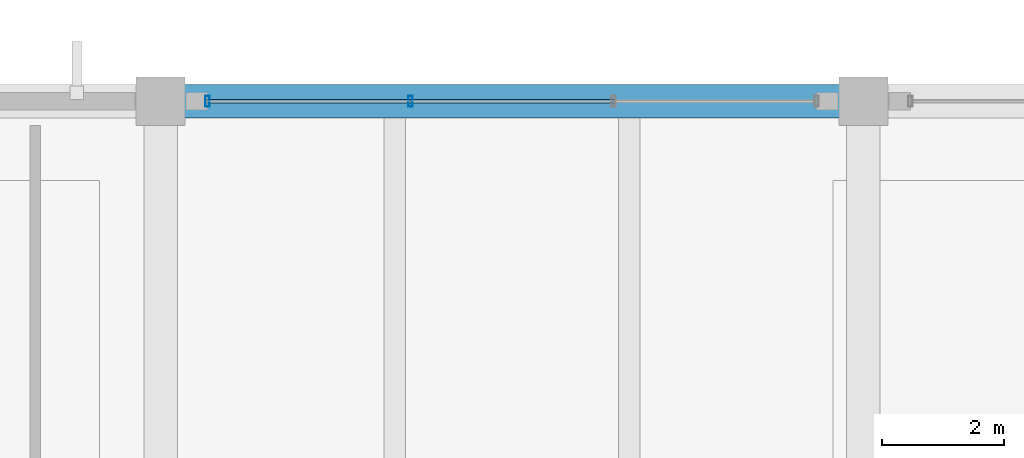
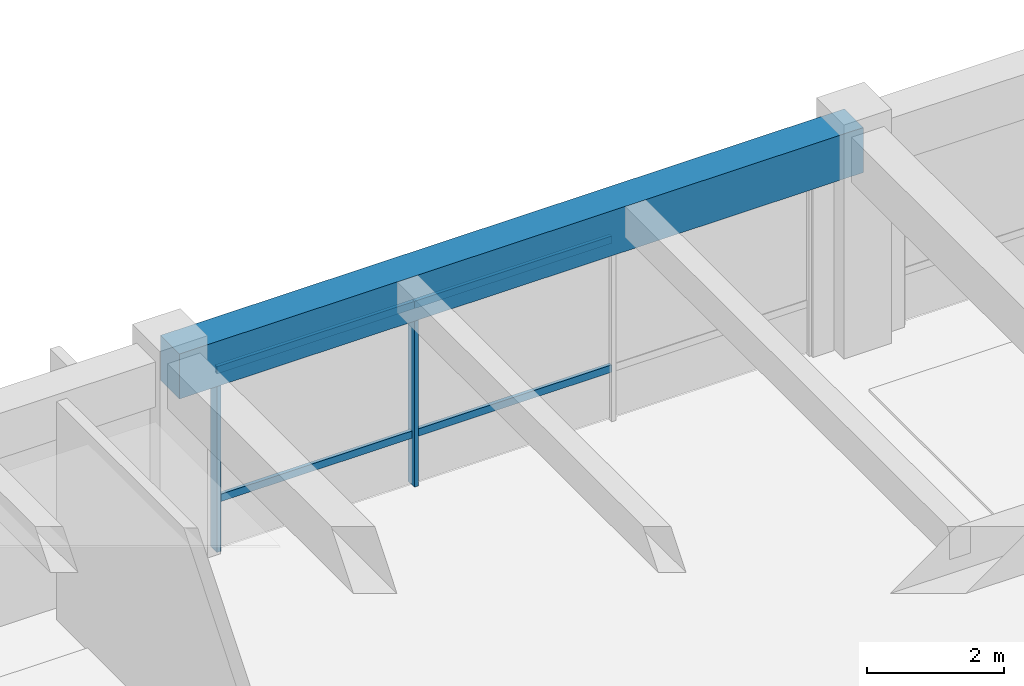
# One storey, part 17 of 33: 6 members, 1 beam, 1 element without a shape of its own.
"""IFC4 building model written with IfcOpenShell, lengths in metres."""

from ifc_helpers import new_model, si_unit, direction, frame, origin, origin_2d, place, context, subcontext, project, spatial, rectangle, hollow_rectangle, extrude, material, material_profile, profile_set, type_object, element, aggregate, save


model = new_model("IFC4")

# Units and contexts
model_context = context("Model", 3, precision=1e-05, world=origin(), true_north=direction((0.0, 1.0)))
body_context = subcontext(model_context, "Body", "Model", "MODEL_VIEW")
ifc_project = project(units=[si_unit("LENGTHUNIT", "METRE"), si_unit("AREAUNIT", "SQUARE_METRE"), si_unit("VOLUMEUNIT", "CUBIC_METRE"), si_unit("PLANEANGLEUNIT", "RADIAN"), si_unit("MASSUNIT", "GRAM", prefix="KILO")], contexts=[model_context])

# Site, building, storey
site_placement = place(None, origin())
site = spatial("IfcSite", under=ifc_project, at=site_placement, CompositionType="ELEMENT")
building_placement = place(site_placement, origin())
building = spatial("IfcBuilding", under=site, at=building_placement, Name="Ologun Quay Terminus", CompositionType="ELEMENT")
storey_placement = place(building_placement, frame((0.0, 0.0, 18.300048828125)))
storey = spatial("IfcBuildingStorey", under=building, at=storey_placement, Name="L04", CompositionType="ELEMENT", Elevation=18.300048828125)

# Beam
ifc_material_1 = material(Name="Concrete C40/50", Category="concrete")
ifc_material_profile_1 = material_profile(ifc_material_1, rectangle(XDim=0.550048828125, YDim=0.800048828125, at=origin_2d()), Name="RC 550x800")
ifc_profile_set_1 = profile_set([ifc_material_profile_1], Name="Concrete C40/50")
beam_type = type_object("IfcBeamType", Name="Courtyard Wing Primary Girder 550x800", PredefinedType="BEAM", material=ifc_profile_set_1)
beam_placement = place(storey_placement, frame((126.5, 114.800048828125, 3.5), z_axis=(1.0, 0.0, 0.0), x_axis=(0.0, 1.0, 0.0)))
element("IfcBeam", 1, at=beam_placement, inside=storey, type_object=beam_type, Name="B4 Beam 12/K L04", PredefinedType="BEAM", context=body_context, shape_type="SweptSolid", body=[
    extrude(rectangle(XDim=0.550048828125, YDim=0.800048828125, at=origin_2d()), origin(), (0.0, 0.0, 1.0), 11.5),
])

# Curtain wall, members
ifc_material_2 = material(Name="Aluminium 6063-T6", Category="aluminium")
curtain_wall_type = type_object("IfcCurtainWallType", Name="Operations Wing Harbour Curtain Wall L04 10400x3800", PredefinedType="USERDEFINED", material=ifc_material_2)
curtain_wall_placement = place(storey_placement, origin())
curtain_wall = element("IfcCurtainWall", 2, at=curtain_wall_placement, inside=storey, type_object=curtain_wall_type, Name="CW-27 Curtain Wall CW-L04-147", ObjectType="UNITISED CURTAIN WALL", PredefinedType="USERDEFINED")
ifc_material_3 = material(Name="Aluminium 6063-T6", Category="aluminium")
ifc_material_profile_2 = material_profile(ifc_material_3, hollow_rectangle(XDim=0.070068359375, YDim=0.179931640625, WallThickness=0.0048828125, at=origin_2d()), Name="ALU 180x70x5")
ifc_profile_set_2 = profile_set([ifc_material_profile_2], Name="Aluminium 6063-T6")
member_type_1 = type_object("IfcMemberType", Name="Curtain Wall Heavy Mullion 180x70", PredefinedType="MULLION", material=ifc_profile_set_2)
member_1_placement = place(storey_placement, frame((127.27001953125, 114.800048828125, 0.0), z_axis=(0.0, 0.0, 1.0), x_axis=(1.0, 0.0, 0.0)))
member_1 = element("IfcMember", 3, at=member_1_placement, type_object=member_type_1, Name="CW-L04-147 Mullion 1", PredefinedType="MULLION", context=body_context, shape_type="SweptSolid", body=[
    extrude(hollow_rectangle(XDim=0.070068359375, YDim=0.179931640625, WallThickness=0.0048828125, at=origin_2d()), origin(), (0.0, 0.0, 1.0), 3.889892578125),
])
member_2_placement = place(storey_placement, frame((130.590087890625, 114.800048828125, 0.0), z_axis=(0.0, 0.0, 1.0), x_axis=(1.0, 0.0, 0.0)))
member_2 = element("IfcMember", 4, at=member_2_placement, type_object=member_type_1, Name="CW-L04-147 Mullion 2", PredefinedType="MULLION", context=body_context, shape_type="SweptSolid", body=[
    extrude(hollow_rectangle(XDim=0.070068359375, YDim=0.179931640625, WallThickness=0.0048828125, at=origin_2d()), origin(), (0.0, 0.0, 1.0), 3.889892578125),
])
ifc_material_4 = material(Name="Aluminium 6063-T6", Category="aluminium")
ifc_material_profile_3 = material_profile(ifc_material_4, hollow_rectangle(XDim=0.06005859375, YDim=0.1298828125, WallThickness=0.00390625, at=origin_2d()), Name="ALU 130x60x4")
ifc_profile_set_3 = profile_set([ifc_material_profile_3], Name="Aluminium 6063-T6")
member_type_2 = type_object("IfcMemberType", Name="Curtain Wall Heavy Transom 130x60", PredefinedType="USERDEFINED", material=ifc_profile_set_3)
member_3_placement = place(storey_placement, frame((127.27001953125, 114.800048828125, 0.89990234375), z_axis=(1.0, 0.0, 0.0), x_axis=(0.0, 1.0, 0.0)))
member_3 = element("IfcMember", 5, at=member_3_placement, type_object=member_type_2, Name="CW-L04-147 Transom B1-1", ObjectType="TRANSOM", PredefinedType="USERDEFINED", context=body_context, shape_type="SweptSolid", body=[
    extrude(hollow_rectangle(XDim=0.06005859375, YDim=0.1298828125, WallThickness=0.00390625, at=origin_2d()), origin(), (0.0, 0.0, 1.0), 3.320068359375),
])
member_4_placement = place(storey_placement, frame((127.27001953125, 114.800048828125, 3.18994140625), z_axis=(1.0, 0.0, 0.0), x_axis=(0.0, 1.0, 0.0)))
member_4 = element("IfcMember", 6, at=member_4_placement, type_object=member_type_2, Name="CW-L04-147 Transom B1-2", ObjectType="TRANSOM", PredefinedType="USERDEFINED", context=body_context, shape_type="SweptSolid", body=[
    extrude(hollow_rectangle(XDim=0.06005859375, YDim=0.1298828125, WallThickness=0.00390625, at=origin_2d()), origin(), (0.0, 0.0, 1.0), 3.320068359375),
])
member_5_placement = place(storey_placement, frame((130.590087890625, 114.800048828125, 0.89990234375), z_axis=(1.0, 0.0, 0.0), x_axis=(0.0, 1.0, 0.0)))
member_5 = element("IfcMember", 7, at=member_5_placement, type_object=member_type_2, Name="CW-L04-147 Transom B2-1", ObjectType="TRANSOM", PredefinedType="USERDEFINED", context=body_context, shape_type="SweptSolid", body=[
    extrude(hollow_rectangle(XDim=0.06005859375, YDim=0.1298828125, WallThickness=0.00390625, at=origin_2d()), origin(), (0.0, 0.0, 1.0), 3.31982421875),
])
member_6_placement = place(storey_placement, frame((130.590087890625, 114.800048828125, 3.18994140625), z_axis=(1.0, 0.0, 0.0), x_axis=(0.0, 1.0, 0.0)))
member_6 = element("IfcMember", 8, at=member_6_placement, type_object=member_type_2, Name="CW-L04-147 Transom B2-2", ObjectType="TRANSOM", PredefinedType="USERDEFINED", context=body_context, shape_type="SweptSolid", body=[
    extrude(hollow_rectangle(XDim=0.06005859375, YDim=0.1298828125, WallThickness=0.00390625, at=origin_2d()), origin(), (0.0, 0.0, 1.0), 3.31982421875),
])
aggregate(curtain_wall, [member_1, member_2, member_3, member_4, member_5, member_6])

save(model, "model.ifc")
